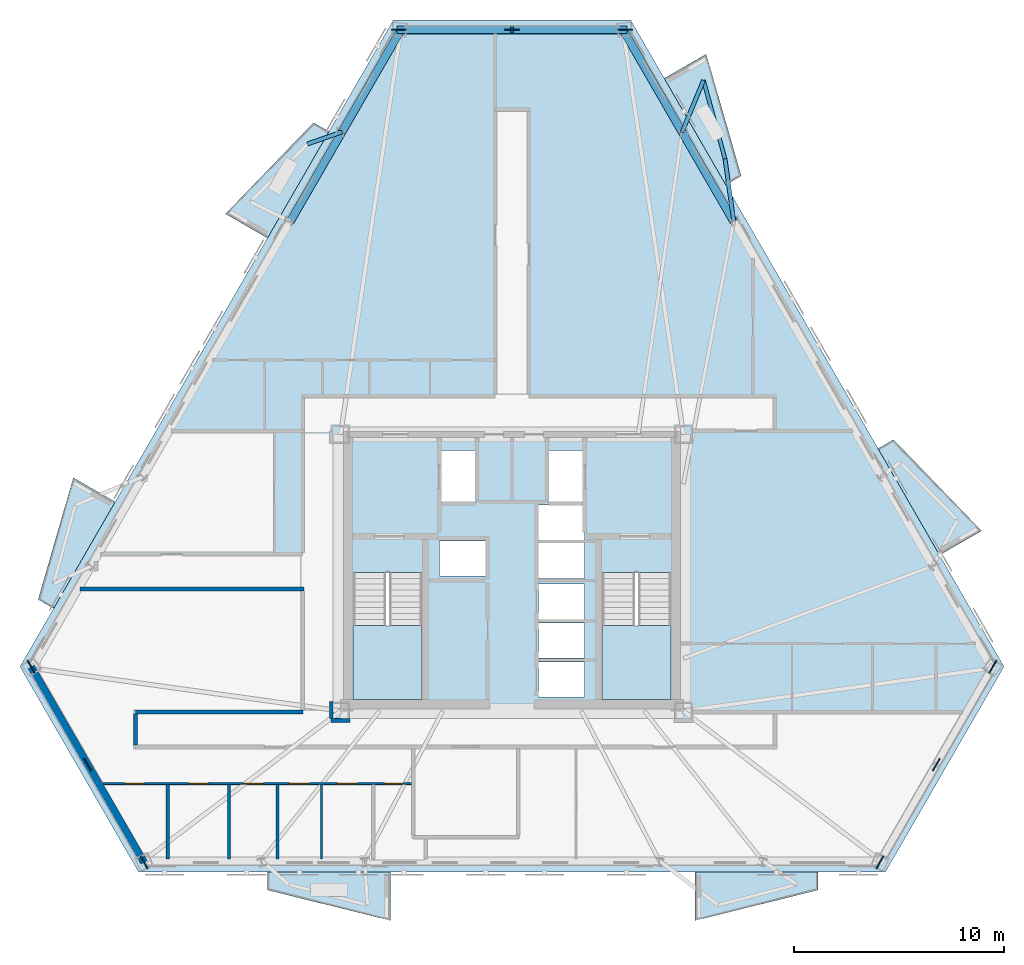
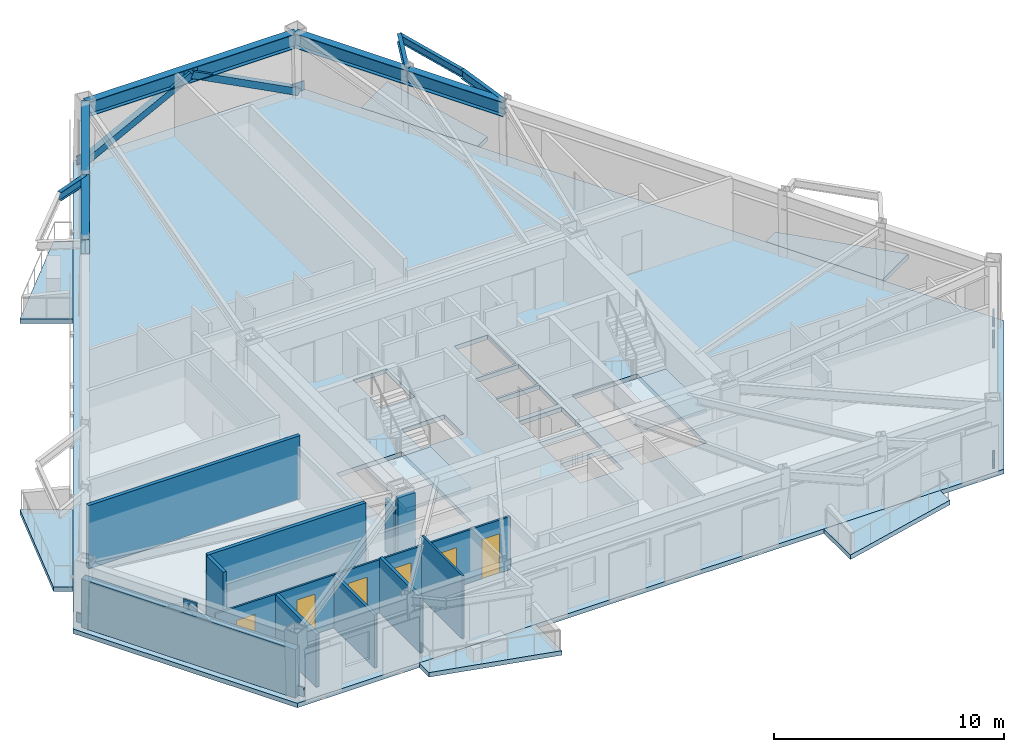
# One storey, part 2 of 9: 11 walls, 9 beams, 9 plates, 9 slabs, 6 doors, 2 members, 6 openings, 2 elements without a shape of their own.
"""IFC4 building model written with IfcOpenShell, lengths in metres."""

from ifc_helpers import new_model, si_unit, direction, frame, frame_2d, origin, origin_2d, place, context, subcontext, project, spatial, polyline, rectangle, hollow_rectangle, i_section, outline, extrude, material, layer, layer_set, material_profile, profile_set, type_object, element, fill, aggregate, save


model = new_model("IFC4")

# Units and contexts
model_context = context("Model", 3, precision=1e-05, world=origin(), true_north=direction((0.0, 1.0)))
body_context = subcontext(model_context, "Body", "Model", "MODEL_VIEW")
ifc_project = project(units=[si_unit("LENGTHUNIT", "METRE"), si_unit("AREAUNIT", "SQUARE_METRE"), si_unit("VOLUMEUNIT", "CUBIC_METRE"), si_unit("PLANEANGLEUNIT", "RADIAN"), si_unit("MASSUNIT", "GRAM", prefix="KILO")], contexts=[model_context])

# Site, building, storey
site_placement = place(None, origin())
site = spatial("IfcSite", under=ifc_project, at=site_placement, CompositionType="ELEMENT")
building_placement = place(site_placement, origin())
building = spatial("IfcBuilding", under=site, at=building_placement, Name="Oramaril Tower", CompositionType="ELEMENT")
storey_placement = place(building_placement, frame((0.0, 0.0, 123.0)))
storey = spatial("IfcBuildingStorey", under=building, at=storey_placement, Name="L32", CompositionType="ELEMENT", Elevation=123.0)

# Beams
ifc_material_1 = material(Name="Steel ASTM A572 Gr 50", Category="steel")
ifc_material_profile_1 = material_profile(ifc_material_1, i_section(OverallWidth=0.19091796875, OverallDepth=0.45703125, WebThickness=0.009033203125, FlangeThickness=0.014404296875, at=origin_2d()), Name="W18X50")
ifc_profile_set_1 = profile_set([ifc_material_profile_1], Name="Steel ASTM A572 Gr 50")
beam_type_1 = type_object("IfcBeamType", Name="BT-BB1", PredefinedType="BEAM", material=ifc_profile_set_1)
beam_1_placement = place(storey_placement, frame((48.04345703125, 34.281494140625, 3.131591796875), z_axis=(-0.138119998151, 0.990415501752, 0.0), x_axis=(-0.990415501752, -0.138119998151, 0.0)))
element("IfcBeam", 1, at=beam_1_placement, inside=storey, type_object=beam_type_1, Name="L32 Balcony Column-Framed Cantilever 04.1", PredefinedType="BEAM", context=body_context, shape_type="SweptSolid", body=[
    extrude(i_section(OverallWidth=0.19091796875, OverallDepth=0.45703125, WebThickness=0.009033203125, FlangeThickness=0.014404296875, at=origin_2d()), origin(), (0.0, 0.0, 1.0), 3.003173828125),
])
beam_2_placement = place(storey_placement, frame((45.590087890625, 38.531005859375, 3.131591796875), z_axis=(0.381894864701, 0.924205773795, 0.0), x_axis=(-0.924205773795, 0.381894864701, 0.0)))
element("IfcBeam", 2, at=beam_2_placement, inside=storey, type_object=beam_type_1, Name="L32 Balcony Column-Framed Cantilever 04.2", PredefinedType="BEAM", context=body_context, shape_type="SweptSolid", body=[
    extrude(i_section(OverallWidth=0.19091796875, OverallDepth=0.45703125, WebThickness=0.009033203125, FlangeThickness=0.014404296875, at=origin_2d()), origin(), (0.0, 0.0, 1.0), 2.65869140625),
])
beam_3_placement = place(storey_placement, frame((29.409912109375, 38.531005859375, 3.131591796875), z_axis=(-0.944630400876, -0.328136260937, 0.0), x_axis=(0.328136260937, -0.944630400876, 0.0)))
element("IfcBeam", 3, at=beam_3_placement, inside=storey, type_object=beam_type_1, Name="L32 Balcony Column-Framed Cantilever 05.1", PredefinedType="BEAM", context=body_context, shape_type="SweptSolid", body=[
    extrude(i_section(OverallWidth=0.19091796875, OverallDepth=0.45703125, WebThickness=0.009033203125, FlangeThickness=0.014404296875, at=origin_2d()), origin(), (0.0, 0.0, 1.0), 1.724609375),
])
ifc_material_2 = material(Name="Steel ASTM A572 Gr 50", Category="steel")
ifc_material_profile_2 = material_profile(ifc_material_2, i_section(OverallWidth=0.177978515625, OverallDepth=0.404052734375, WebThickness=0.007568359375, FlangeThickness=0.010986328125, at=origin_2d()), Name="W16X36")
ifc_profile_set_2 = profile_set([ifc_material_profile_2], Name="Steel ASTM A572 Gr 50")
beam_type_2 = type_object("IfcBeamType", Name="BT-SB1", PredefinedType="BEAM", material=ifc_profile_set_2)
beam_4_placement = place(storey_placement, frame((47.628662109375, 37.255859375, 3.157958984375), z_axis=(-0.264382243015, 0.964417974521, 0.0), x_axis=(-0.964417974521, -0.264382243015, 0.0)))
element("IfcBeam", 4, at=beam_4_placement, inside=storey, type_object=beam_type_2, Name="L32 Balcony Edge Tie Beam 04", PredefinedType="BEAM", context=body_context, shape_type="SweptSolid", body=[
    extrude(i_section(OverallWidth=0.177978515625, OverallDepth=0.404052734375, WebThickness=0.007568359375, FlangeThickness=0.010986328125, at=origin_2d()), origin(), (0.0, 0.0, 1.0), 3.8701171875),
])
ifc_material_3 = material(Name="Steel ASTM A572 Gr 50", Category="steel")
ifc_material_profile_3 = material_profile(ifc_material_3, i_section(OverallWidth=0.381103515625, OverallDepth=0.77197265625, WebThickness=0.0166015625, FlangeThickness=0.027099609375, at=origin_2d()), Name="W30X173")
ifc_profile_set_3 = profile_set([ifc_material_profile_3], Name="Steel ASTM A572 Gr 50")
beam_type_3 = type_object("IfcBeamType", Name="BT-SP2", PredefinedType="SPANDREL", material=ifc_profile_set_3)
beam_5_placement = place(storey_placement, frame((48.04345703125, 34.281494140625, 2.97412109375), z_axis=(-0.499986611447, 0.866033133531, 0.0), x_axis=(-0.866033133531, -0.499986611447, 0.0)))
element("IfcBeam", 5, at=beam_5_placement, inside=storey, type_object=beam_type_3, Name="L32 Perimeter Spandrel 11", PredefinedType="SPANDREL", context=body_context, shape_type="SweptSolid", body=[
    extrude(i_section(OverallWidth=0.381103515625, OverallDepth=0.77197265625, WebThickness=0.0166015625, FlangeThickness=0.027099609375, at=origin_2d()), origin(), (0.0, 0.0, 1.0), 4.906982421875),
])
beam_6_placement = place(storey_placement, frame((45.590087890625, 38.531005859375, 2.97412109375), z_axis=(-0.500011377402, 0.866018834939, 0.0), x_axis=(-0.866018834939, -0.500011377402, 0.0)))
element("IfcBeam", 6, at=beam_6_placement, inside=storey, type_object=beam_type_3, Name="L32 Perimeter Spandrel 12", PredefinedType="SPANDREL", context=body_context, shape_type="SweptSolid", body=[
    extrude(i_section(OverallWidth=0.381103515625, OverallDepth=0.77197265625, WebThickness=0.0166015625, FlangeThickness=0.027099609375, at=origin_2d()), origin(), (0.0, 0.0, 1.0), 5.607666015625),
])
beam_7_placement = place(storey_placement, frame((42.7861328125, 43.387451171875, 2.97412109375), z_axis=(-1.0, 0.0, 0.0), x_axis=(0.0, -1.0, 0.0)))
element("IfcBeam", 7, at=beam_7_placement, inside=storey, type_object=beam_type_3, Name="L32 Perimeter Spandrel 13", PredefinedType="SPANDREL", context=body_context, shape_type="SweptSolid", body=[
    extrude(i_section(OverallWidth=0.381103515625, OverallDepth=0.77197265625, WebThickness=0.0166015625, FlangeThickness=0.027099609375, at=origin_2d()), origin(), (0.0, 0.0, 1.0), 10.572265625),
])
beam_8_placement = place(storey_placement, frame((32.2138671875, 43.387451171875, 2.97412109375), z_axis=(-0.500011377402, -0.866018834939, 0.0), x_axis=(0.866018834939, -0.500011377402, 0.0)))
element("IfcBeam", 8, at=beam_8_placement, inside=storey, type_object=beam_type_3, Name="L32 Perimeter Spandrel 14", PredefinedType="SPANDREL", context=body_context, shape_type="SweptSolid", body=[
    extrude(i_section(OverallWidth=0.381103515625, OverallDepth=0.77197265625, WebThickness=0.0166015625, FlangeThickness=0.027099609375, at=origin_2d()), origin(), (0.0, 0.0, 1.0), 5.607666015625),
])
beam_9_placement = place(storey_placement, frame((29.409912109375, 38.531005859375, 2.97412109375), z_axis=(-0.499986611447, -0.866033133531, 0.0), x_axis=(0.866033133531, -0.499986611447, 0.0)))
element("IfcBeam", 9, at=beam_9_placement, inside=storey, type_object=beam_type_3, Name="L32 Perimeter Spandrel 15", PredefinedType="SPANDREL", context=body_context, shape_type="SweptSolid", body=[
    extrude(i_section(OverallWidth=0.381103515625, OverallDepth=0.77197265625, WebThickness=0.0166015625, FlangeThickness=0.027099609375, at=origin_2d()), origin(), (0.0, 0.0, 1.0), 4.906982421875),
])

# Members
ifc_material_4 = material(Name="Steel ASTM A572 Gr 50", Category="steel")
ifc_material_profile_4 = material_profile(ifc_material_4, hollow_rectangle(XDim=0.35009765625, YDim=0.35009765625, WallThickness=0.01611328125, at=origin_2d()), Name="HSS350X350X16")
ifc_profile_set_4 = profile_set([ifc_material_profile_4], Name="Steel ASTM A572 Gr 50")
member_type = type_object("IfcMemberType", Name="MT-KB1", PredefinedType="BRACE", material=ifc_profile_set_4)
for number, where, z_axis, x_axis, name in (
    (10, (42.875732421875, 43.39697265625, 0.179931640625), (-0.887297280013, 0.0, 0.461197936771), (0.0, -1.0, 0.0), "L32 Perimeter Chevron Brace KB-3A"),
    (11, (32.124267578125, 43.39697265625, 0.179931640625), (0.887297280013, 0.0, 0.461197936771), (0.0, 1.0, 0.0), "L32 Perimeter Chevron Brace KB-3B"),
):
    element("IfcMember", number, at=place(storey_placement, frame(where, z_axis=z_axis, x_axis=x_axis)), inside=storey, type_object=member_type, Name=name, PredefinedType="BRACE", context=body_context, shape_type="SweptSolid", body=[
        extrude(hollow_rectangle(XDim=0.35009765625, YDim=0.35009765625, WallThickness=0.01611328125, at=origin_2d()), origin(), (0.0, 0.0, 1.0), 6.05859375),
    ])

# Plates
ifc_material_5 = material(Name="Steel ASTM A572 Gr 50", Category="steel")
ifc_layer_1 = layer(ifc_material_5, 0.06005859375)
ifc_layer_set_1 = layer_set([ifc_layer_1], Name="PLT-G60")
plate_type = type_object("IfcPlateType", Name="PLT-G60", PredefinedType="USERDEFINED", material=ifc_layer_set_1)
for number, where, z_axis, x_axis, name in (
    (12, (17.32421875, 8.451416015625, 2.734130859375), (0.0, 0.0, 1.0), (0.500003022996, -0.86602365845, 0.0), "L32 Chevron Brace Gusset Plate BN-1"),
    (13, (14.636474609375, 13.10693359375, 0.10009765625), (0.0, 0.0, 1.0), (0.500003022996, -0.86602365845, 0.0), "L32 Chevron Brace Gusset Plate BN-1"),
    (14, (20.01220703125, 3.796142578125, 0.10009765625), (0.0, 0.0, 1.0), (0.500003022996, -0.86602365845, 0.0), "L32 Chevron Brace Gusset Plate BN-1"),
    (15, (57.67578125, 8.451416015625, 2.734130859375), (0.0, 0.0, 1.0), (0.500003022996, 0.86602365845, 0.0), "L32 Chevron Brace Gusset Plate BN-1"),
    (16, (54.98779296875, 3.796142578125, 0.10009765625), (0.0, 0.0, 1.0), (0.500003022996, 0.86602365845, 0.0), "L32 Chevron Brace Gusset Plate BN-1"),
    (17, (60.363525390625, 13.10693359375, 0.10009765625), (0.0, 0.0, 1.0), (0.500003022996, 0.86602365845, 0.0), "L32 Chevron Brace Gusset Plate BN-1"),
    (18, (37.5, 43.39697265625, 2.734130859375), (0.0, 0.0, 1.0), (-1.0, 0.0, 0.0), "L32 Chevron Brace Gusset Plate BN-1"),
    (19, (42.875732421875, 43.39697265625, 0.10009765625), (0.0, 0.0, 1.0), (-1.0, 0.0, 0.0), "L32 Chevron Brace Gusset Plate BN-1"),
    (20, (32.124267578125, 43.39697265625, 0.10009765625), (0.0, 0.0, 1.0), (-1.0, 0.0, 0.0), "L32 Chevron Brace Gusset Plate BN-1"),
):
    element("IfcPlate", number, at=place(storey_placement, frame(where, z_axis=z_axis, x_axis=x_axis)), inside=storey, type_object=plate_type, Name=name, ObjectType="GUSSET", PredefinedType="USERDEFINED", context=body_context, shape_type="SweptSolid", body=[
        extrude(rectangle(XDim=0.679931640625, YDim=0.06005859375, at=origin_2d()), origin(), (0.0, 0.0, 1.0), 0.47998046875),
    ])

# Slabs
ifc_material_6 = material(Name="Concrete C40/50", Category="concrete")
ifc_layer_2 = layer(ifc_material_6, 0.199951171875)
ifc_layer_set_2 = layer_set([ifc_layer_2], Name="SLT-BAL20")
slab_type_1 = type_object("IfcSlabType", Name="SLT-BAL20", PredefinedType="FLOOR", material=ifc_layer_set_2)
slab_1_placement = place(storey_placement, frame((0.0, 0.0, -0.239990234375)))
element("IfcSlab", 21, at=slab_1_placement, inside=storey, type_object=slab_type_1, Name="L32 Cantilevered Balcony Slab L32-BAL-S2", PredefinedType="FLOOR", context=body_context, shape_type="SweptSolid", body=[
    extrude(outline(polyline([(46.203369140625, 3.338134765625), (52.053466796875, 3.338134765625), (52.053466796875, 2.486083984375), (46.203369140625, 1.0361328125), (46.203369140625, 3.338134765625)])), origin(), (0.0, 0.0, 1.0), 0.239990234375),
])
slab_2_placement = place(storey_placement, frame((0.0, 0.0, -0.239990234375)))
element("IfcSlab", 22, at=slab_2_placement, inside=storey, type_object=slab_type_1, Name="L32 Cantilevered Balcony Slab L32-BAL-NE1", PredefinedType="FLOOR", context=body_context, shape_type="SweptSolid", body=[
    extrude(outline(polyline([(57.83056640625, 18.410400390625), (54.905517578125, 23.476806640625), (55.643310546875, 23.902587890625), (59.82421875, 19.561279296875), (57.83056640625, 18.410400390625)])), origin(), (0.0, 0.0, 1.0), 0.239990234375),
])
slab_3_placement = place(storey_placement, frame((0.0, 0.0, -0.239990234375)))
element("IfcSlab", 23, at=slab_3_placement, inside=storey, type_object=slab_type_1, Name="L32 Cantilevered Balcony Slab L32-BAL-NW2", PredefinedType="FLOOR", context=body_context, shape_type="SweptSolid", body=[
    extrude(outline(polyline([(18.632080078125, 20.943603515625), (15.70703125, 15.877197265625), (14.96923828125, 16.30322265625), (16.638427734375, 22.094482421875), (18.632080078125, 20.943603515625)])), origin(), (0.0, 0.0, 1.0), 0.239990234375),
])
ifc_material_7 = material(Name="Concrete C50/60", Category="concrete")
ifc_layer_3 = layer(ifc_material_7, 0.239990234375)
ifc_layer_set_3 = layer_set([ifc_layer_3], Name="SLT-FLR24")
slab_type_2 = type_object("IfcSlabType", Name="SLT-FLR24", PredefinedType="FLOOR", material=ifc_layer_set_3)
slab_4_placement = place(storey_placement, frame((0.0, 0.0, -0.239990234375)))
element("IfcSlab", 24, at=slab_4_placement, inside=storey, type_object=slab_type_2, Name="L32 Structural Floor Slab", PredefinedType="FLOOR", context=body_context, shape_type="SweptSolid", body=[
    extrude(outline(polyline([(14.105224609375, 13.10693359375), (19.74658203125, 3.336181640625), (55.25341796875, 3.336181640625), (60.894775390625, 13.10693359375), (43.141357421875, 43.85693359375), (31.858642578125, 43.85693359375), (14.105224609375, 13.10693359375)]), holes=[polyline([(29.949951171875, 17.58935546875), (29.949951171875, 11.550048828125), (33.219970703125, 11.550048828125), (33.219970703125, 17.58935546875), (29.949951171875, 17.58935546875)]), polyline([(41.780029296875, 17.58935546875), (41.780029296875, 11.550048828125), (45.050048828125, 11.550048828125), (45.050048828125, 17.58935546875), (41.780029296875, 17.58935546875)]), polyline([(34.110107421875, 20.909912109375), (35.7900390625, 20.909912109375), (35.7900390625, 23.389892578125), (34.110107421875, 23.389892578125), (34.110107421875, 20.909912109375)]), polyline([(39.2099609375, 20.909912109375), (40.889892578125, 20.909912109375), (40.889892578125, 23.389892578125), (39.2099609375, 23.389892578125), (39.2099609375, 20.909912109375)]), polyline([(38.760009765625, 11.659912109375), (40.93994140625, 11.659912109375), (40.93994140625, 13.340087890625), (38.760009765625, 13.340087890625), (38.760009765625, 11.659912109375)]), polyline([(38.760009765625, 13.510009765625), (40.93994140625, 13.510009765625), (40.93994140625, 15.18994140625), (38.760009765625, 15.18994140625), (38.760009765625, 13.510009765625)]), polyline([(38.760009765625, 15.360107421875), (40.93994140625, 15.360107421875), (40.93994140625, 17.0400390625), (38.760009765625, 17.0400390625), (38.760009765625, 15.360107421875)]), polyline([(34.06005859375, 17.409912109375), (36.239990234375, 17.409912109375), (36.239990234375, 19.090087890625), (34.06005859375, 19.090087890625), (34.06005859375, 17.409912109375)]), polyline([(38.760009765625, 17.31005859375), (40.93994140625, 17.31005859375), (40.93994140625, 18.989990234375), (38.760009765625, 18.989990234375), (38.760009765625, 17.31005859375)]), polyline([(38.760009765625, 19.110107421875), (40.93994140625, 19.110107421875), (40.93994140625, 20.7900390625), (38.760009765625, 20.7900390625), (38.760009765625, 19.110107421875)])]), origin(), (0.0, 0.0, 1.0), 0.239990234375),
])

# Stair, slab
ifc_material_8 = material(Name="Concrete C50/60", Category="concrete")
stair_type = type_object("IfcStairType", Name="STT-DG-3600", PredefinedType="HALF_TURN_STAIR", material=ifc_material_8)
stair_1_placement = place(storey_placement, origin())
stair_1 = element("IfcStair", 25, at=stair_1_placement, inside=storey, type_object=stair_type, Name="L32 Protected PFP Exit Stair ST-1", PredefinedType="HALF_TURN_STAIR")
ifc_material_9 = material(Name="Concrete C50/60", Category="concrete")
ifc_layer_4 = layer(ifc_material_9, 0.199951171875)
ifc_layer_set_4 = layer_set([ifc_layer_4], Name="SLT-LND20")
slab_type_3 = type_object("IfcSlabType", Name="SLT-LND20", PredefinedType="LANDING", material=ifc_layer_set_4)
slab_5_placement = place(storey_placement, frame((0.0, 0.0, 1.60009765625)))
slab_5 = element("IfcSlab", 26, at=slab_5_placement, type_object=slab_type_3, Name="ST-1 landing 1", PredefinedType="LANDING", context=body_context, shape_type="SweptSolid", body=[
    extrude(outline(polyline([(29.949951171875, 15.070068359375), (29.949951171875, 11.550048828125), (33.219970703125, 11.550048828125), (33.219970703125, 15.070068359375), (29.949951171875, 15.070068359375)])), origin(), (0.0, 0.0, 1.0), 0.199951171875),
])
aggregate(stair_1, [slab_5])

stair_2_placement = place(storey_placement, origin())
stair_2 = element("IfcStair", 27, at=stair_2_placement, inside=storey, type_object=stair_type, Name="L32 Protected PFP Exit Stair ST-2", PredefinedType="HALF_TURN_STAIR")
slab_6_placement = place(storey_placement, frame((0.0, 0.0, 1.60009765625)))
slab_6 = element("IfcSlab", 28, at=slab_6_placement, type_object=slab_type_3, Name="ST-2 landing 1", PredefinedType="LANDING", context=body_context, shape_type="SweptSolid", body=[
    extrude(outline(polyline([(41.780029296875, 15.070068359375), (41.780029296875, 11.550048828125), (45.050048828125, 11.550048828125), (45.050048828125, 15.070068359375), (41.780029296875, 15.070068359375)])), origin(), (0.0, 0.0, 1.0), 0.199951171875),
])
aggregate(stair_2, [slab_6])

# Slabs
ifc_material_10 = material(Name="Concrete C40/50", Category="concrete")
ifc_layer_5 = layer(ifc_material_10, 0.18994140625)
ifc_layer_set_5 = layer_set([ifc_layer_5], Name="SLT-PLN19")
slab_type_4 = type_object("IfcSlabType", Name="SLT-PLN19", PredefinedType="FLOOR", material=ifc_layer_set_5)
slab_7_placement = place(storey_placement, frame((0.0, 0.0, -0.239990234375)))
element("IfcSlab", 29, at=slab_7_placement, inside=storey, type_object=slab_type_4, Name="L32 Tree Planter Balcony Slab L32-BAL-S1", PredefinedType="FLOOR", context=body_context, shape_type="SweptSolid", body=[
    extrude(outline(polyline([(25.87158203125, 3.338134765625), (31.7216796875, 3.338134765625), (31.7216796875, 1.0361328125), (25.87158203125, 2.486083984375), (25.87158203125, 3.338134765625)])), origin(), (0.0, 0.0, 1.0), 0.239990234375),
])
slab_8_placement = place(storey_placement, frame((0.0, 0.0, -0.239990234375)))
element("IfcSlab", 30, at=slab_8_placement, inside=storey, type_object=slab_type_4, Name="L32 Tree Planter Balcony Slab L32-BAL-NE2", PredefinedType="FLOOR", context=body_context, shape_type="SweptSolid", body=[
    extrude(outline(polyline([(47.66455078125, 36.018310546875), (44.739501953125, 41.084716796875), (46.733154296875, 42.235595703125), (48.40234375, 36.4443359375), (47.66455078125, 36.018310546875)])), origin(), (0.0, 0.0, 1.0), 0.239990234375),
])
slab_9_placement = place(storey_placement, frame((0.0, 0.0, -0.239990234375)))
element("IfcSlab", 31, at=slab_9_placement, inside=storey, type_object=slab_type_4, Name="L32 Tree Planter Balcony Slab L32-BAL-NW1", PredefinedType="FLOOR", context=body_context, shape_type="SweptSolid", body=[
    extrude(outline(polyline([(28.7978515625, 38.551513671875), (25.872802734375, 33.485107421875), (23.87939453125, 34.63623046875), (28.06005859375, 38.9775390625), (28.7978515625, 38.551513671875)])), origin(), (0.0, 0.0, 1.0), 0.239990234375),
])

# Wall
ifc_material_11 = material(Name="Warm Cream Limestone", Category="masonry")
ifc_layer_6 = layer(ifc_material_11, 0.340087890625)
ifc_layer_set_6 = layer_set([ifc_layer_6], Name="WT-EXT34")
wall_type_1 = type_object("IfcWallType", Name="WT-EXT34", PredefinedType="SOLIDWALL", material=ifc_layer_set_6)
wall_1_placement = place(storey_placement, frame((14.636474609375, 13.10693359375, 0.0), z_axis=(0.0, 0.0, 1.0), x_axis=(0.500010095722, -0.866019574938, 0.0)))
element("IfcWall", 32, at=wall_1_placement, inside=storey, type_object=wall_type_1, Name="L32 Tower Limestone Facade Wall 1M", PredefinedType="SOLIDWALL", context=body_context, shape_type="SweptSolid", body=[
    extrude(rectangle(XDim=10.751220703125, YDim=0.340087890625, at=frame_2d((5.37548828125, 0.0))), origin(), (0.0, 0.0, 1.0), 2.577880859375),
])

# Wall, openings, doors
ifc_material_12 = material(Name="Acoustic Gypsum Board Partition")
ifc_layer_7 = layer(ifc_material_12, 0.10009765625)
ifc_layer_set_7 = layer_set([ifc_layer_7], Name="WT-PT10")
wall_type_2 = type_object("IfcWallType", Name="WT-PT10", PredefinedType="PARTITIONING", material=ifc_layer_set_7)
wall_2_placement = place(storey_placement, frame((18.0458984375, 7.550048828125, 0.0), z_axis=(0.0, 0.0, 1.0), x_axis=(1.0, 0.0, 0.0)))
wall_2 = element("IfcWall", 33, at=wall_2_placement, inside=storey, type_object=wall_type_2, Name="L32 Interior Partition PT-10", PredefinedType="PARTITIONING", context=body_context, shape_type="SweptSolid", body=[
    extrude(rectangle(XDim=14.80419921875, YDim=0.10009765625, at=frame_2d((7.402099609375, 0.0))), origin(), (0.0, 0.0, 1.0), 2.81396484375),
])
opening_1_placement = place(wall_2_placement, frame((1.037353515625, 0.0, 0.0)))
opening_1 = element("IfcOpeningElement", 34, at=opening_1_placement, cuts=wall_2, Name="Opening D-L32-01", PredefinedType="OPENING", context=body_context, shape_type="SweptSolid", body=[
    extrude(rectangle(XDim=0.949951171875, YDim=2.10009765625, at=frame_2d((0.47509765625, 1.050048828125))), frame((0.0, 0.050048828125, 0.0), z_axis=(0.0, -1.0, 0.0), x_axis=(1.0, 0.0, 0.0)), (0.0, 0.0, 1.0), 0.10009765625),
])
opening_2_placement = place(wall_2_placement, frame((4.082275390625, 0.0, 0.0)))
opening_2 = element("IfcOpeningElement", 35, at=opening_2_placement, cuts=wall_2, Name="Opening D-L32-02", PredefinedType="OPENING", context=body_context, shape_type="SweptSolid", body=[
    extrude(rectangle(XDim=0.919921875, YDim=2.1201171875, at=frame_2d((0.4599609375, 1.06005859375))), frame((0.0, 0.050048828125, 0.0), z_axis=(0.0, -1.0, 0.0), x_axis=(1.0, 0.0, 0.0)), (0.0, 0.0, 1.0), 0.10009765625),
])
opening_3_placement = place(wall_2_placement, frame((6.67919921875, 0.0, 0.0)))
opening_3 = element("IfcOpeningElement", 36, at=opening_3_placement, cuts=wall_2, Name="Opening D-L32-03", PredefinedType="OPENING", context=body_context, shape_type="SweptSolid", body=[
    extrude(rectangle(XDim=0.949951171875, YDim=2.10009765625, at=frame_2d((0.47509765625, 1.050048828125))), frame((0.0, 0.050048828125, 0.0), z_axis=(0.0, -1.0, 0.0), x_axis=(1.0, 0.0, 0.0)), (0.0, 0.0, 1.0), 0.10009765625),
])
opening_4_placement = place(wall_2_placement, frame((8.873291015625, 0.0, 0.0)))
opening_4 = element("IfcOpeningElement", 37, at=opening_4_placement, cuts=wall_2, Name="Opening D-L32-04", PredefinedType="OPENING", context=body_context, shape_type="SweptSolid", body=[
    extrude(rectangle(XDim=0.949951171875, YDim=2.10009765625, at=frame_2d((0.47509765625, 1.050048828125))), frame((0.0, 0.050048828125, 0.0), z_axis=(0.0, -1.0, 0.0), x_axis=(1.0, 0.0, 0.0)), (0.0, 0.0, 1.0), 0.10009765625),
])
opening_5_placement = place(wall_2_placement, frame((11.15380859375, 0.0, 0.0)))
opening_5 = element("IfcOpeningElement", 38, at=opening_5_placement, cuts=wall_2, Name="Opening D-L32-05", PredefinedType="OPENING", context=body_context, shape_type="SweptSolid", body=[
    extrude(rectangle(XDim=0.949951171875, YDim=2.10009765625, at=frame_2d((0.47509765625, 1.050048828125))), frame((0.0, 0.050048828125, 0.0), z_axis=(0.0, -1.0, 0.0), x_axis=(1.0, 0.0, 0.0)), (0.0, 0.0, 1.0), 0.10009765625),
])
opening_6_placement = place(wall_2_placement, frame((13.38427734375, 0.0, 0.0)))
opening_6 = element("IfcOpeningElement", 39, at=opening_6_placement, cuts=wall_2, Name="Opening D-L32-06", PredefinedType="OPENING", context=body_context, shape_type="SweptSolid", body=[
    extrude(rectangle(XDim=0.8798828125, YDim=2.080078125, at=frame_2d((0.43994140625, 1.0400390625))), frame((0.0, 0.050048828125, 0.0), z_axis=(0.0, -1.0, 0.0), x_axis=(1.0, 0.0, 0.0)), (0.0, 0.0, 1.0), 0.10009765625),
])
ifc_material_13 = material(Name="FSC Brazilian Freijo Hardwood", Category="wood")
door_type_1 = type_object("IfcDoorType", Name="DT-BATH", OperationType="NOTDEFINED", PredefinedType="DOOR", material=ifc_material_13)
door_1_placement = place(opening_6_placement, origin())
door_1 = element("IfcDoor", 40, at=door_1_placement, inside=storey, type_object=door_type_1, Name="L32 Flat L32-U2 Bathroom Door D-L32-06", OperationType="SINGLE_SWING_RIGHT", OverallHeight=2.080078125, OverallWidth=0.8798828125, PredefinedType="DOOR", context=body_context, shape_type="SweptSolid", body=[
    extrude(rectangle(XDim=0.8798828125, YDim=2.080078125, at=frame_2d((0.43994140625, 1.0400390625))), frame((0.0, 0.02490234375, 0.0), z_axis=(0.0, -1.0, 0.0), x_axis=(1.0, 0.0, 0.0)), (0.0, 0.0, 1.0), 0.050048828125),
])
fill(opening_6, door_1)
ifc_material_14 = material(Name="FSC Brazilian Freijo Hardwood", Category="wood")
door_type_2 = type_object("IfcDoorType", Name="DT-BED", OperationType="NOTDEFINED", PredefinedType="DOOR", material=ifc_material_14)
door_2_placement = place(opening_2_placement, origin())
door_2 = element("IfcDoor", 41, at=door_2_placement, inside=storey, type_object=door_type_2, Name="L32 Flat L32-U2 Bedroom 2 Door D-L32-02", OperationType="SINGLE_SWING_RIGHT", OverallHeight=2.1201171875, OverallWidth=0.919921875, PredefinedType="DOOR", context=body_context, shape_type="SweptSolid", body=[
    extrude(rectangle(XDim=0.919921875, YDim=2.1201171875, at=frame_2d((0.4599609375, 1.06005859375))), frame((0.0, 0.02490234375, 0.0), z_axis=(0.0, -1.0, 0.0), x_axis=(1.0, 0.0, 0.0)), (0.0, 0.0, 1.0), 0.050048828125),
])
fill(opening_2, door_2)
ifc_material_15 = material(Name="FSC Brazilian Freijo Hardwood", Category="wood")
door_type_3 = type_object("IfcDoorType", Name="DT-STDY", OperationType="NOTDEFINED", PredefinedType="DOOR", material=ifc_material_15)
door_3_placement = place(opening_1_placement, origin())
door_3 = element("IfcDoor", 42, at=door_3_placement, inside=storey, type_object=door_type_3, Name="L32 Flat L32-U2 Breakfast Dining Room Door D-L32-01", OperationType="SINGLE_SWING_LEFT", OverallHeight=2.10009765625, OverallWidth=0.949951171875, PredefinedType="DOOR", context=body_context, shape_type="SweptSolid", body=[
    extrude(rectangle(XDim=0.949951171875, YDim=2.10009765625, at=frame_2d((0.47509765625, 1.050048828125))), frame((0.0, 0.02490234375, 0.0), z_axis=(0.0, -1.0, 0.0), x_axis=(1.0, 0.0, 0.0)), (0.0, 0.0, 1.0), 0.050048828125),
])
fill(opening_1, door_3)
door_4_placement = place(opening_3_placement, origin())
door_4 = element("IfcDoor", 43, at=door_4_placement, inside=storey, type_object=door_type_3, Name="L32 Flat L32-U2 Breakfast Dining Room Door D-L32-03", OperationType="SINGLE_SWING_LEFT", OverallHeight=2.10009765625, OverallWidth=0.949951171875, PredefinedType="DOOR", context=body_context, shape_type="SweptSolid", body=[
    extrude(rectangle(XDim=0.949951171875, YDim=2.10009765625, at=frame_2d((0.47509765625, 1.050048828125))), frame((0.0, 0.02490234375, 0.0), z_axis=(0.0, -1.0, 0.0), x_axis=(1.0, 0.0, 0.0)), (0.0, 0.0, 1.0), 0.050048828125),
])
fill(opening_3, door_4)
door_5_placement = place(opening_4_placement, origin())
door_5 = element("IfcDoor", 44, at=door_5_placement, inside=storey, type_object=door_type_3, Name="L32 Flat L32-U2 Private Dining Room Door D-L32-04", OperationType="SINGLE_SWING_RIGHT", OverallHeight=2.10009765625, OverallWidth=0.949951171875, PredefinedType="DOOR", context=body_context, shape_type="SweptSolid", body=[
    extrude(rectangle(XDim=0.949951171875, YDim=2.10009765625, at=frame_2d((0.47509765625, 1.050048828125))), frame((0.0, 0.02490234375, 0.0), z_axis=(0.0, -1.0, 0.0), x_axis=(1.0, 0.0, 0.0)), (0.0, 0.0, 1.0), 0.050048828125),
])
fill(opening_4, door_5)
door_6_placement = place(opening_5_placement, origin())
door_6 = element("IfcDoor", 45, at=door_6_placement, inside=storey, type_object=door_type_3, Name="L32 Flat L32-U2 Kitchen Door D-L32-05", OperationType="SINGLE_SWING_LEFT", OverallHeight=2.10009765625, OverallWidth=0.949951171875, PredefinedType="DOOR", context=body_context, shape_type="SweptSolid", body=[
    extrude(rectangle(XDim=0.949951171875, YDim=2.10009765625, at=frame_2d((0.47509765625, 1.050048828125))), frame((0.0, 0.02490234375, 0.0), z_axis=(0.0, -1.0, 0.0), x_axis=(1.0, 0.0, 0.0)), (0.0, 0.0, 1.0), 0.050048828125),
])
fill(opening_5, door_6)

# Walls
wall_3_placement = place(storey_placement, frame((28.43994140625, 3.97021484375, 0.0), z_axis=(0.0, 0.0, 1.0), x_axis=(0.0, 1.0, 0.0)))
element("IfcWall", 46, at=wall_3_placement, inside=storey, type_object=wall_type_2, Name="L32 Interior Partition PT-10", PredefinedType="PARTITIONING", context=body_context, shape_type="SweptSolid", body=[
    extrude(rectangle(XDim=3.52587890625, YDim=0.10009765625, at=frame_2d((1.762939453125, 0.0))), origin(), (0.0, 0.0, 1.0), 3.360107421875),
])
ifc_material_16 = material(Name="Acoustic Gypsum Board Partition")
ifc_layer_8 = layer(ifc_material_16, 0.139892578125)
ifc_layer_set_8 = layer_set([ifc_layer_8], Name="WT-PT14")
wall_type_3 = type_object("IfcWallType", Name="WT-PT14", PredefinedType="PARTITIONING", material=ifc_layer_set_8)
wall_4_placement = place(storey_placement, frame((24.050048828125, 3.97021484375, 0.0), z_axis=(0.0, 0.0, 1.0), x_axis=(0.0, 1.0, 0.0)))
element("IfcWall", 47, at=wall_4_placement, inside=storey, type_object=wall_type_3, Name="L32 Interior Partition PT-14", PredefinedType="PARTITIONING", context=body_context, shape_type="SweptSolid", body=[
    extrude(rectangle(XDim=3.52587890625, YDim=0.139892578125, at=frame_2d((1.762939453125, 0.0))), origin(), (0.0, 0.0, 1.0), 2.81396484375),
])
ifc_material_17 = material(Name="Acoustic Gypsum Board Partition")
ifc_layer_9 = layer(ifc_material_17, 0.159912109375)
ifc_layer_set_9 = layer_set([ifc_layer_9], Name="WT-PT16")
wall_type_4 = type_object("IfcWallType", Name="WT-PT16", PredefinedType="PARTITIONING", material=ifc_layer_set_9)
wall_5_placement = place(storey_placement, frame((21.1298828125, 3.97021484375, 0.0), z_axis=(0.0, 0.0, 1.0), x_axis=(0.0, 1.0, 0.0)))
element("IfcWall", 48, at=wall_5_placement, inside=storey, type_object=wall_type_4, Name="L32 Interior Partition PT-16", PredefinedType="PARTITIONING", context=body_context, shape_type="SweptSolid", body=[
    extrude(rectangle(XDim=3.52587890625, YDim=0.159912109375, at=frame_2d((1.762939453125, 0.0))), origin(), (0.0, 0.0, 1.0), 2.81396484375),
])
wall_6_placement = place(storey_placement, frame((26.35009765625, 3.97021484375, 0.0), z_axis=(0.0, 0.0, 1.0), x_axis=(0.0, 1.0, 0.0)))
element("IfcWall", 49, at=wall_6_placement, inside=storey, type_object=wall_type_4, Name="L32 Interior Partition PT-16", PredefinedType="PARTITIONING", context=body_context, shape_type="SweptSolid", body=[
    extrude(rectangle(XDim=3.52587890625, YDim=0.159912109375, at=frame_2d((1.762939453125, 0.0))), origin(), (0.0, 0.0, 1.0), 2.946044921875),
])
ifc_material_18 = material(Name="Autoclaved Cellular Concrete Block", Category="concrete")
ifc_layer_10 = layer(ifc_material_18, 0.179931640625)
ifc_layer_set_10 = layer_set([ifc_layer_10], Name="WT-PT18")
wall_type_5 = type_object("IfcWallType", Name="WT-PT18", PredefinedType="PARTITIONING", material=ifc_layer_set_10)
wall_7_placement = place(storey_placement, frame((28.905029296875, 10.550048828125, 0.0), z_axis=(0.0, 0.0, 1.0), x_axis=(1.0, 0.0, 0.0)))
element("IfcWall", 50, at=wall_7_placement, inside=storey, type_object=wall_type_5, Name="L32 Interior Partition PT-18", PredefinedType="PARTITIONING", context=body_context, shape_type="SweptSolid", body=[
    extrude(rectangle(XDim=0.889892578125, YDim=0.179931640625, at=frame_2d((0.44482421875, 0.0))), origin(), (0.0, 0.0, 1.0), 3.360107421875),
])
wall_8_placement = place(storey_placement, frame((19.60009765625, 10.949951171875, 0.0), z_axis=(0.0, 0.0, 1.0), x_axis=(1.0, 0.0, 0.0)))
element("IfcWall", 51, at=wall_8_placement, inside=storey, type_object=wall_type_5, Name="L32 Interior Partition PT-18", PredefinedType="PARTITIONING", context=body_context, shape_type="SweptSolid", body=[
    extrude(rectangle(XDim=7.949951171875, YDim=0.179931640625, at=frame_2d((3.97509765625, 0.0))), origin(), (0.0, 0.0, 1.0), 3.360107421875),
])
wall_9_placement = place(storey_placement, frame((16.969482421875, 16.800048828125, 0.0), z_axis=(0.0, 0.0, 1.0), x_axis=(1.0, 0.0, 0.0)))
element("IfcWall", 52, at=wall_9_placement, inside=storey, type_object=wall_type_5, Name="L32 Interior Partition PT-18", PredefinedType="PARTITIONING", context=body_context, shape_type="SweptSolid", body=[
    extrude(rectangle(XDim=10.640625, YDim=0.179931640625, at=frame_2d((5.3203125, 0.0))), origin(), (0.0, 0.0, 1.0), 3.360107421875),
])
wall_10_placement = place(storey_placement, frame((19.60009765625, 9.39404296875, 0.0), z_axis=(0.0, 0.0, 1.0), x_axis=(0.0, 1.0, 0.0)))
element("IfcWall", 53, at=wall_10_placement, inside=storey, type_object=wall_type_5, Name="L32 Interior Partition PT-18", PredefinedType="PARTITIONING", context=body_context, shape_type="SweptSolid", body=[
    extrude(rectangle(XDim=1.4619140625, YDim=0.179931640625, at=frame_2d((0.73095703125, 0.0))), origin(), (0.0, 0.0, 1.0), 3.360107421875),
])
wall_11_placement = place(storey_placement, frame((28.909912109375, 10.64404296875, 0.0), z_axis=(0.0, 0.0, 1.0), x_axis=(0.0, 1.0, 0.0)))
element("IfcWall", 54, at=wall_11_placement, inside=storey, type_object=wall_type_5, Name="L32 Interior Partition PT-18", PredefinedType="PARTITIONING", context=body_context, shape_type="SweptSolid", body=[
    extrude(rectangle(XDim=0.7958984375, YDim=0.179931640625, at=frame_2d((0.39794921875, 0.0))), origin(), (0.0, 0.0, 1.0), 2.81396484375),
])

save(model, "model.ifc")
